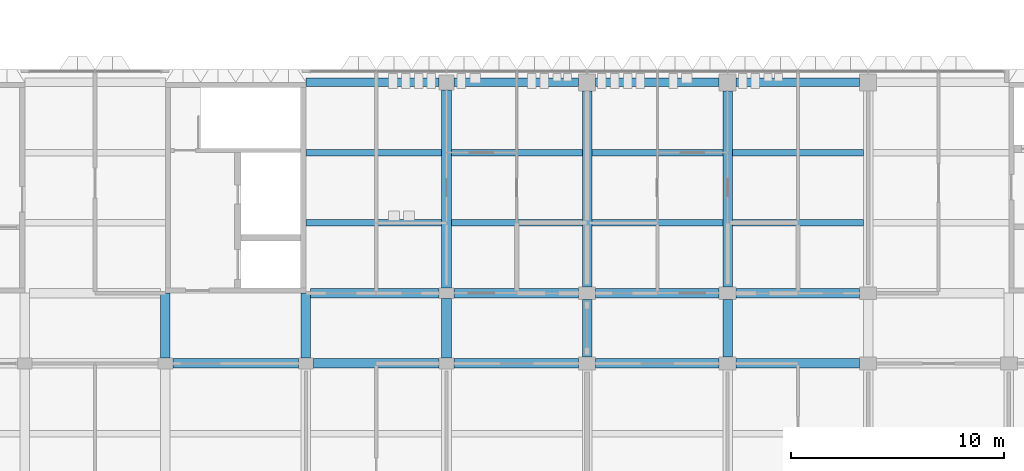
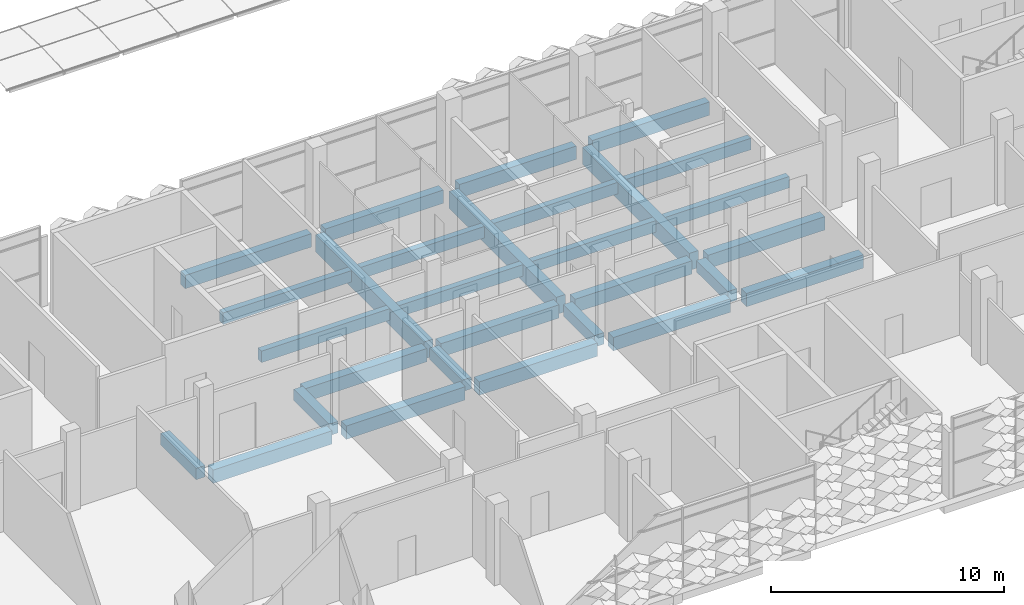
# One storey, part 8 of 61: 29 beams.
"""IFC4 building model written with IfcOpenShell, lengths in metres."""

from ifc_helpers import new_model, si_unit, direction, frame, origin, origin_2d, place, context, subcontext, project, spatial, rectangle, extrude, material, material_profile, profile_set, type_object, element, save


model = new_model("IFC4")

# Units and contexts
model_context = context("Model", 3, precision=1e-05, world=origin(), true_north=direction((0.0, 1.0)))
body_context = subcontext(model_context, "Body", "Model", "MODEL_VIEW")
ifc_project = project(units=[si_unit("LENGTHUNIT", "METRE"), si_unit("AREAUNIT", "SQUARE_METRE"), si_unit("VOLUMEUNIT", "CUBIC_METRE"), si_unit("PLANEANGLEUNIT", "RADIAN"), si_unit("MASSUNIT", "GRAM", prefix="KILO")], contexts=[model_context])

# Site, building, storey
site_placement = place(None, origin())
site = spatial("IfcSite", under=ifc_project, at=site_placement, CompositionType="ELEMENT")
building_placement = place(site_placement, origin())
building = spatial("IfcBuilding", under=site, at=building_placement, Name="Lantern Court Research Institute", CompositionType="ELEMENT")
storey_placement = place(building_placement, frame((0.0, 0.0, 23.39990234375)))
storey = spatial("IfcBuildingStorey", under=building, at=storey_placement, Name="L05", CompositionType="ELEMENT", Elevation=23.39990234375)

# Beams
ifc_material_1 = material(Name="Concrete C40/50", Category="concrete")
ifc_material_profile_1 = material_profile(ifc_material_1, rectangle(XDim=0.449951171875, YDim=0.699951171875, at=origin_2d()), Name="RC beam 450 x 700")
ifc_profile_set_1 = profile_set([ifc_material_profile_1], Name="Concrete C40/50")
beam_type_1 = type_object("IfcBeamType", Name="RC beam 450 x 700", PredefinedType="BEAM", material=ifc_profile_set_1)
beam_1_placement = place(storey_placement, frame((33.35009765625, 9.89990234375, -0.64990234375), z_axis=(1.0, 0.0, 0.0), x_axis=(0.0, 1.0, 0.0)))
element("IfcBeam", 1, at=beam_1_placement, inside=storey, type_object=beam_type_1, Name="Beam L05 grid B/6-7", PredefinedType="BEAM", context=body_context, shape_type="SweptSolid", body=[
    extrude(rectangle(XDim=0.449951171875, YDim=0.699951171875, at=origin_2d()), origin(), (0.0, 0.0, 1.0), 5.89990234375),
])
beam_2_placement = place(storey_placement, frame((39.949951171875, 9.89990234375, -0.64990234375), z_axis=(1.0, 0.0, 0.0), x_axis=(0.0, 1.0, 0.0)))
element("IfcBeam", 2, at=beam_2_placement, inside=storey, type_object=beam_type_1, Name="Beam L05 grid B/7-8", PredefinedType="BEAM", context=body_context, shape_type="SweptSolid", body=[
    extrude(rectangle(XDim=0.449951171875, YDim=0.699951171875, at=origin_2d()), origin(), (0.0, 0.0, 1.0), 5.900146484375),
])
beam_3_placement = place(storey_placement, frame((46.550048828125, 9.89990234375, -0.64990234375), z_axis=(1.0, 0.0, 0.0), x_axis=(0.0, 1.0, 0.0)))
element("IfcBeam", 3, at=beam_3_placement, inside=storey, type_object=beam_type_1, Name="Beam L05 grid B/8-9", PredefinedType="BEAM", context=body_context, shape_type="SweptSolid", body=[
    extrude(rectangle(XDim=0.449951171875, YDim=0.699951171875, at=origin_2d()), origin(), (0.0, 0.0, 1.0), 5.849853515625),
])
beam_4_placement = place(storey_placement, frame((39.824951171875, 13.199951171875, -0.64990234375), z_axis=(1.0, 0.0, 0.0), x_axis=(0.0, 1.0, 0.0)))
element("IfcBeam", 4, at=beam_4_placement, inside=storey, type_object=beam_type_1, Name="Beam L05 grid C/7-8", PredefinedType="BEAM", context=body_context, shape_type="SweptSolid", body=[
    extrude(rectangle(XDim=0.449951171875, YDim=0.699951171875, at=origin_2d()), origin(), (0.0, 0.0, 1.0), 6.025146484375),
])
beam_5_placement = place(storey_placement, frame((46.550048828125, 13.199951171875, -0.64990234375), z_axis=(1.0, 0.0, 0.0), x_axis=(0.0, 1.0, 0.0)))
element("IfcBeam", 5, at=beam_5_placement, inside=storey, type_object=beam_type_1, Name="Beam L05 grid C/8-9", PredefinedType="BEAM", context=body_context, shape_type="SweptSolid", body=[
    extrude(rectangle(XDim=0.449951171875, YDim=0.699951171875, at=origin_2d()), origin(), (0.0, 0.0, 1.0), 5.849853515625),
])
for number, where, z_axis, x_axis, name in (
    (6, (53.199951171875, 9.89990234375, -0.64990234375), (1.0, 0.0, 0.0), (0.0, 1.0, 0.0), "Beam L05 grid B/9-10"),
    (7, (59.800048828125, 9.89990234375, -0.64990234375), (1.0, 0.0, 0.0), (0.0, 1.0, 0.0), "Beam L05 grid B/10-11"),
    (8, (53.199951171875, 13.199951171875, -0.64990234375), (1.0, 0.0, 0.0), (0.0, 1.0, 0.0), "Beam L05 grid C/9-10"),
    (9, (59.800048828125, 13.199951171875, -0.64990234375), (1.0, 0.0, 0.0), (0.0, 1.0, 0.0), "Beam L05 grid C/10-11"),
):
    element("IfcBeam", number, at=place(storey_placement, frame(where, z_axis=z_axis, x_axis=x_axis)), inside=storey, type_object=beam_type_1, Name=name, PredefinedType="BEAM", context=body_context, shape_type="SweptSolid", body=[
        extrude(rectangle(XDim=0.449951171875, YDim=0.699951171875, at=origin_2d()), origin(), (0.0, 0.0, 1.0), 5.800048828125),
    ])
ifc_material_2 = material(Name="Concrete C40/50", Category="concrete")
ifc_material_profile_2 = material_profile(ifc_material_2, rectangle(XDim=0.39990234375, YDim=0.699951171875, at=origin_2d()), Name="RC beam 400 x 700")
ifc_profile_set_2 = profile_set([ifc_material_profile_2], Name="Concrete C40/50")
beam_type_2 = type_object("IfcBeamType", Name="RC edge beam 400 x 700", PredefinedType="BEAM", material=ifc_profile_set_2)
beam_6_placement = place(storey_placement, frame((39.60009765625, 23.10009765625, -0.64990234375), z_axis=(1.0, 0.0, 0.0), x_axis=(0.0, 1.0, 0.0)))
element("IfcBeam", 10, at=beam_6_placement, inside=storey, type_object=beam_type_2, Name="Edge beam L05 grid D/7-8", PredefinedType="BEAM", context=body_context, shape_type="SweptSolid", body=[
    extrude(rectangle(XDim=0.39990234375, YDim=0.699951171875, at=origin_2d()), origin(), (0.0, 0.0, 1.0), 6.25),
])
beam_7_placement = place(storey_placement, frame((46.550048828125, 23.10009765625, -0.64990234375), z_axis=(1.0, 0.0, 0.0), x_axis=(0.0, 1.0, 0.0)))
element("IfcBeam", 11, at=beam_7_placement, inside=storey, type_object=beam_type_2, Name="Edge beam L05 grid D/8-9", PredefinedType="BEAM", context=body_context, shape_type="SweptSolid", body=[
    extrude(rectangle(XDim=0.39990234375, YDim=0.699951171875, at=origin_2d()), origin(), (0.0, 0.0, 1.0), 5.849853515625),
])
for number, where, z_axis, x_axis, name in (
    (12, (53.199951171875, 23.10009765625, -0.64990234375), (1.0, 0.0, 0.0), (0.0, 1.0, 0.0), "Edge beam L05 grid D/9-10"),
    (13, (59.800048828125, 23.10009765625, -0.64990234375), (1.0, 0.0, 0.0), (0.0, 1.0, 0.0), "Edge beam L05 grid D/10-11"),
):
    element("IfcBeam", number, at=place(storey_placement, frame(where, z_axis=z_axis, x_axis=x_axis)), inside=storey, type_object=beam_type_2, Name=name, PredefinedType="BEAM", context=body_context, shape_type="SweptSolid", body=[
        extrude(rectangle(XDim=0.39990234375, YDim=0.699951171875, at=origin_2d()), origin(), (0.0, 0.0, 1.0), 5.800048828125),
    ])
ifc_material_3 = material(Name="Concrete C40/50", Category="concrete")
ifc_material_profile_3 = material_profile(ifc_material_3, rectangle(XDim=0.449951171875, YDim=0.89990234375, at=origin_2d()), Name="RC beam 450 x 900")
ifc_profile_set_3 = profile_set([ifc_material_profile_3], Name="Concrete C40/50")
beam_type_3 = type_object("IfcBeamType", Name="RC girder 450 x 900", PredefinedType="BEAM", material=ifc_profile_set_3)
beam_8_placement = place(storey_placement, frame((46.199951171875, 13.449951171875, -0.75), z_axis=(0.0, 1.0, 0.0), x_axis=(-1.0, 0.0, 0.0)))
element("IfcBeam", 14, at=beam_8_placement, inside=storey, type_object=beam_type_3, Name="Girder L05 grid 8/C-D", PredefinedType="BEAM", context=body_context, shape_type="SweptSolid", body=[
    extrude(rectangle(XDim=0.449951171875, YDim=0.89990234375, at=origin_2d()), origin(), (0.0, 0.0, 1.0), 9.300048828125),
])
for number, where, z_axis, x_axis, name in (
    (15, (52.800048828125, 13.5, -0.75), (0.0, 1.0, 0.0), (-1.0, 0.0, 0.0), "Girder L05 grid 9/C-D"),
    (16, (59.39990234375, 13.5, -0.75), (0.0, 1.0, 0.0), (-1.0, 0.0, 0.0), "Girder L05 grid 10/C-D"),
):
    element("IfcBeam", number, at=place(storey_placement, frame(where, z_axis=z_axis, x_axis=x_axis)), inside=storey, type_object=beam_type_3, Name=name, PredefinedType="BEAM", context=body_context, shape_type="SweptSolid", body=[
        extrude(rectangle(XDim=0.449951171875, YDim=0.89990234375, at=origin_2d()), origin(), (0.0, 0.0, 1.0), 9.199951171875),
    ])
ifc_material_4 = material(Name="Concrete C40/50", Category="concrete")
ifc_material_profile_4 = material_profile(ifc_material_4, rectangle(XDim=0.300048828125, YDim=0.60009765625, at=origin_2d()), Name="RC beam 300 x 600")
ifc_profile_set_4 = profile_set([ifc_material_profile_4], Name="Concrete C40/50")
beam_type_4 = type_object("IfcBeamType", Name="RC secondary beam 300 x 600", PredefinedType="BEAM", material=ifc_profile_set_4)
beam_9_placement = place(storey_placement, frame((39.60009765625, 16.5, -0.599853515625), z_axis=(1.0, 0.0, 0.0), x_axis=(0.0, 1.0, 0.0)))
element("IfcBeam", 17, at=beam_9_placement, inside=storey, type_object=beam_type_4, Name="Secondary beam L05 grids 7-8 / C-D, line 1", PredefinedType="BEAM", context=body_context, shape_type="SweptSolid", body=[
    extrude(rectangle(XDim=0.300048828125, YDim=0.60009765625, at=origin_2d()), origin(), (0.0, 0.0, 1.0), 6.375),
])
beam_10_placement = place(storey_placement, frame((46.425048828125, 16.5, -0.599853515625), z_axis=(1.0, 0.0, 0.0), x_axis=(0.0, 1.0, 0.0)))
element("IfcBeam", 18, at=beam_10_placement, inside=storey, type_object=beam_type_4, Name="Secondary beam L05 grids 8-9 / C-D, line 1", PredefinedType="BEAM", context=body_context, shape_type="SweptSolid", body=[
    extrude(rectangle(XDim=0.300048828125, YDim=0.60009765625, at=origin_2d()), origin(), (0.0, 0.0, 1.0), 6.14990234375),
])
beam_11_placement = place(storey_placement, frame((39.60009765625, 19.800048828125, -0.599853515625), z_axis=(1.0, 0.0, 0.0), x_axis=(0.0, 1.0, 0.0)))
element("IfcBeam", 19, at=beam_11_placement, inside=storey, type_object=beam_type_4, Name="Secondary beam L05 grids 7-8 / C-D, line 2", PredefinedType="BEAM", context=body_context, shape_type="SweptSolid", body=[
    extrude(rectangle(XDim=0.300048828125, YDim=0.60009765625, at=origin_2d()), origin(), (0.0, 0.0, 1.0), 6.375),
])
beam_12_placement = place(storey_placement, frame((46.425048828125, 19.800048828125, -0.599853515625), z_axis=(1.0, 0.0, 0.0), x_axis=(0.0, 1.0, 0.0)))
element("IfcBeam", 20, at=beam_12_placement, inside=storey, type_object=beam_type_4, Name="Secondary beam L05 grids 8-9 / C-D, line 2", PredefinedType="BEAM", context=body_context, shape_type="SweptSolid", body=[
    extrude(rectangle(XDim=0.300048828125, YDim=0.60009765625, at=origin_2d()), origin(), (0.0, 0.0, 1.0), 6.14990234375),
])
beam_13_placement = place(storey_placement, frame((53.02490234375, 16.5, -0.599853515625), z_axis=(1.0, 0.0, 0.0), x_axis=(0.0, 1.0, 0.0)))
element("IfcBeam", 21, at=beam_13_placement, inside=storey, type_object=beam_type_4, Name="Secondary beam L05 grids 9-10 / C-D, line 1", PredefinedType="BEAM", context=body_context, shape_type="SweptSolid", body=[
    extrude(rectangle(XDim=0.300048828125, YDim=0.60009765625, at=origin_2d()), origin(), (0.0, 0.0, 1.0), 6.150146484375),
])
beam_14_placement = place(storey_placement, frame((59.625, 16.5, -0.599853515625), z_axis=(1.0, 0.0, 0.0), x_axis=(0.0, 1.0, 0.0)))
element("IfcBeam", 22, at=beam_14_placement, inside=storey, type_object=beam_type_4, Name="Secondary beam L05 grids 10-11 / C-D, line 1", PredefinedType="BEAM", context=body_context, shape_type="SweptSolid", body=[
    extrude(rectangle(XDim=0.300048828125, YDim=0.60009765625, at=origin_2d()), origin(), (0.0, 0.0, 1.0), 6.14990234375),
])
beam_15_placement = place(storey_placement, frame((53.02490234375, 19.800048828125, -0.599853515625), z_axis=(1.0, 0.0, 0.0), x_axis=(0.0, 1.0, 0.0)))
element("IfcBeam", 23, at=beam_15_placement, inside=storey, type_object=beam_type_4, Name="Secondary beam L05 grids 9-10 / C-D, line 2", PredefinedType="BEAM", context=body_context, shape_type="SweptSolid", body=[
    extrude(rectangle(XDim=0.300048828125, YDim=0.60009765625, at=origin_2d()), origin(), (0.0, 0.0, 1.0), 6.150146484375),
])
beam_16_placement = place(storey_placement, frame((59.625, 19.800048828125, -0.599853515625), z_axis=(1.0, 0.0, 0.0), x_axis=(0.0, 1.0, 0.0)))
element("IfcBeam", 24, at=beam_16_placement, inside=storey, type_object=beam_type_4, Name="Secondary beam L05 grids 10-11 / C-D, line 2", PredefinedType="BEAM", context=body_context, shape_type="SweptSolid", body=[
    extrude(rectangle(XDim=0.300048828125, YDim=0.60009765625, at=origin_2d()), origin(), (0.0, 0.0, 1.0), 6.14990234375),
])
ifc_material_5 = material(Name="Concrete C40/50", Category="concrete")
ifc_material_profile_5 = material_profile(ifc_material_5, rectangle(XDim=0.449951171875, YDim=0.60009765625, at=origin_2d()), Name="RC beam 450 x 600")
ifc_profile_set_5 = profile_set([ifc_material_profile_5], Name="Concrete C40/50")
beam_type_5 = type_object("IfcBeamType", Name="RC spine beam 450 x 600", PredefinedType="BEAM", material=ifc_profile_set_5)
for number, where, z_axis, x_axis, name in (
    (25, (33.0, 10.14990234375, -0.599853515625), (0.0, 1.0, 0.0), (-1.0, 0.0, 0.0), "Beam L05 grid 6/B-C"),
    (26, (39.60009765625, 10.14990234375, -0.599853515625), (0.0, 1.0, 0.0), (-1.0, 0.0, 0.0), "Beam L05 grid 7/B-C"),
):
    element("IfcBeam", number, at=place(storey_placement, frame(where, z_axis=z_axis, x_axis=x_axis)), inside=storey, type_object=beam_type_5, Name=name, PredefinedType="BEAM", context=body_context, shape_type="SweptSolid", body=[
        extrude(rectangle(XDim=0.449951171875, YDim=0.60009765625, at=origin_2d()), origin(), (0.0, 0.0, 1.0), 3.050048828125),
    ])
beam_17_placement = place(storey_placement, frame((46.199951171875, 10.14990234375, -0.599853515625), z_axis=(0.0, 1.0, 0.0), x_axis=(-1.0, 0.0, 0.0)))
element("IfcBeam", 27, at=beam_17_placement, inside=storey, type_object=beam_type_5, Name="Beam L05 grid 8/B-C", PredefinedType="BEAM", context=body_context, shape_type="SweptSolid", body=[
    extrude(rectangle(XDim=0.449951171875, YDim=0.60009765625, at=origin_2d()), origin(), (0.0, 0.0, 1.0), 2.800048828125),
])
for number, where, z_axis, x_axis, name in (
    (28, (52.800048828125, 10.199951171875, -0.599853515625), (0.0, 1.0, 0.0), (-1.0, 0.0, 0.0), "Beam L05 grid 9/B-C"),
    (29, (59.39990234375, 10.199951171875, -0.599853515625), (0.0, 1.0, 0.0), (-1.0, 0.0, 0.0), "Beam L05 grid 10/B-C"),
):
    element("IfcBeam", number, at=place(storey_placement, frame(where, z_axis=z_axis, x_axis=x_axis)), inside=storey, type_object=beam_type_5, Name=name, PredefinedType="BEAM", context=body_context, shape_type="SweptSolid", body=[
        extrude(rectangle(XDim=0.449951171875, YDim=0.60009765625, at=origin_2d()), origin(), (0.0, 0.0, 1.0), 2.699951171875),
    ])

save(model, "model.ifc")
